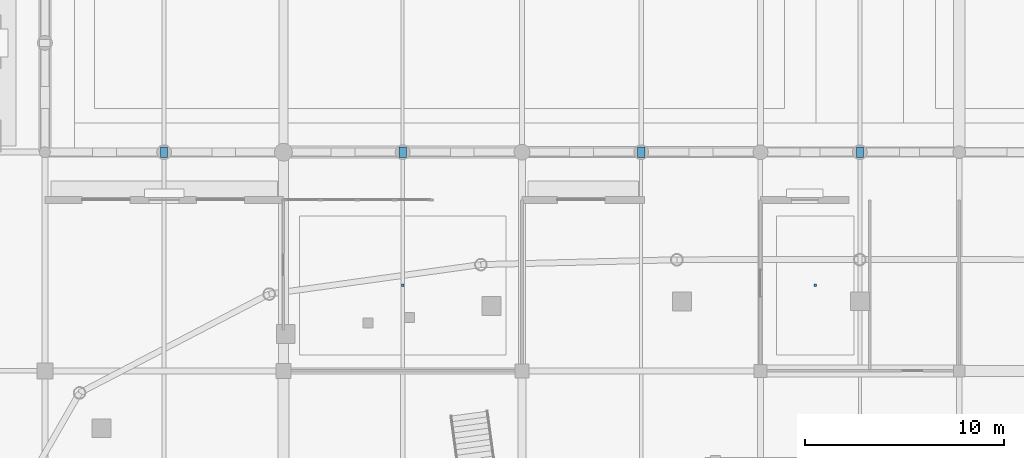
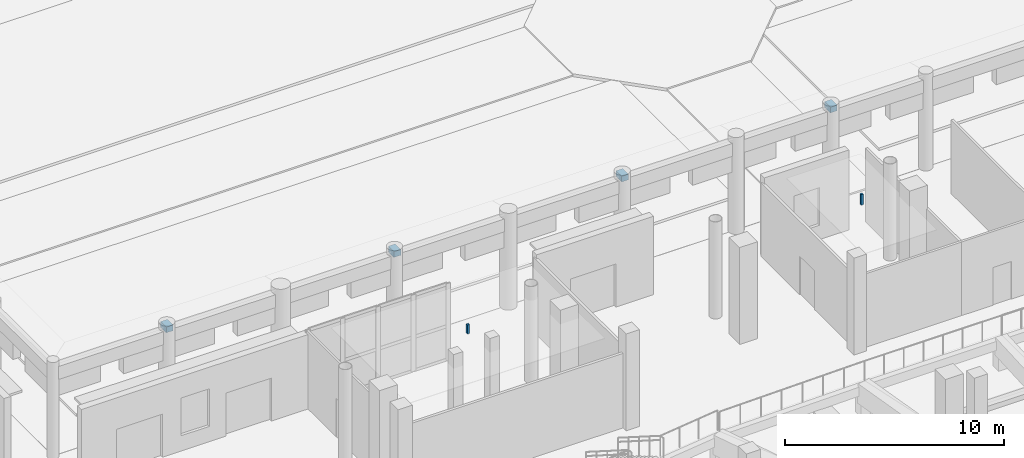
# One storey, part 82 of 120: 6 discrete accessories.
"""IFC4 building model written with IfcOpenShell, lengths in metres."""

from ifc_helpers import new_model, si_unit, direction, frame, origin, origin_2d, place, context, subcontext, project, spatial, rectangle, extrude, material, layer, layer_set, type_object, element, save


model = new_model("IFC4")

# Units and contexts
model_context = context("Model", 3, precision=1e-05, world=origin(), true_north=direction((0.0, 1.0)))
body_context = subcontext(model_context, "Body", "Model", "MODEL_VIEW")
ifc_project = project(units=[si_unit("LENGTHUNIT", "METRE"), si_unit("AREAUNIT", "SQUARE_METRE"), si_unit("VOLUMEUNIT", "CUBIC_METRE"), si_unit("PLANEANGLEUNIT", "RADIAN"), si_unit("MASSUNIT", "GRAM", prefix="KILO")], contexts=[model_context])

# Site, building, storey
site_placement = place(None, origin())
site = spatial("IfcSite", under=ifc_project, at=site_placement, CompositionType="ELEMENT")
building_placement = place(site_placement, origin())
building = spatial("IfcBuilding", under=site, at=building_placement, Name="Luwafu Chhajja Arena", CompositionType="ELEMENT")
storey_placement = place(building_placement, origin())
storey = spatial("IfcBuildingStorey", under=building, at=storey_placement, Name="L00", CompositionType="ELEMENT", Elevation=0.0)

# Discrete accessories
ifc_material = material(Name="Stainless steel bracket", Category="steel")
ifc_layer = layer(ifc_material, 0.179931640625, Name="Stainless steel bracket")
ifc_layer_set = layer_set([ifc_layer], Name="Stainless steel bracket")
discrete_accessory_type = type_object("IfcDiscreteAccessoryType", Name="Stainless Steel Facade Support Bracket", PredefinedType="BRACKET", material=ifc_layer_set)
for number, where, z_axis, x_axis, name in (
    (1, (64.0, 99.0, 4.97998046875), (0.0, 0.0, 1.0), (1.0, 0.0, 0.0), "L00 Chhajja Eave Support Bracket 0091"),
    (2, (76.0, 99.0, 4.97998046875), (0.0, 0.0, 1.0), (1.0, 0.0, 0.0), "L00 Chhajja Eave Support Bracket 0092"),
    (3, (88.0, 99.0, 4.97998046875), (0.0, 0.0, 1.0), (1.0, 0.0, 0.0), "L00 Chhajja Eave Support Bracket 0093"),
    (4, (99.0, 99.0, 4.97998046875), (0.0, 0.0, 1.0), (1.0, 0.0, 0.0), "L00 Chhajja Eave Support Bracket 0094"),
):
    element("IfcDiscreteAccessory", number, at=place(storey_placement, frame(where, z_axis=z_axis, x_axis=x_axis)), inside=storey, type_object=discrete_accessory_type, Name=name, PredefinedType="BRACKET", context=body_context, shape_type="SweptSolid", body=[
        extrude(rectangle(XDim=0.360107421875, YDim=0.52001953125, at=origin_2d()), origin(), (0.0, 0.0, 1.0), 0.320068359375),
    ])
discrete_accessory_1_placement = place(storey_placement, frame((76.0, 92.300048828125, 4.6015625), z_axis=(0.0, 0.0, 1.0), x_axis=(1.0, 0.0, 0.0)))
element("IfcDiscreteAccessory", 5, at=discrete_accessory_1_placement, inside=storey, type_object=discrete_accessory_type, Name="L00 Ceiling Suspension Hanger 010", PredefinedType="BRACKET", context=body_context, shape_type="SweptSolid", body=[
    extrude(rectangle(XDim=0.1201171875, YDim=0.1201171875, at=origin_2d()), origin(), (0.0, 0.0, 1.0), 0.508544921875),
])
discrete_accessory_2_placement = place(storey_placement, frame((96.75, 92.300048828125, 4.52294921875), z_axis=(0.0, 0.0, 1.0), x_axis=(1.0, 0.0, 0.0)))
element("IfcDiscreteAccessory", 6, at=discrete_accessory_2_placement, inside=storey, type_object=discrete_accessory_type, Name="L00 Ceiling Suspension Hanger 011", PredefinedType="BRACKET", context=body_context, shape_type="SweptSolid", body=[
    extrude(rectangle(XDim=0.1201171875, YDim=0.1201171875, at=origin_2d()), origin(), (0.0, 0.0, 1.0), 0.587158203125),
])

save(model, "model.ifc")
